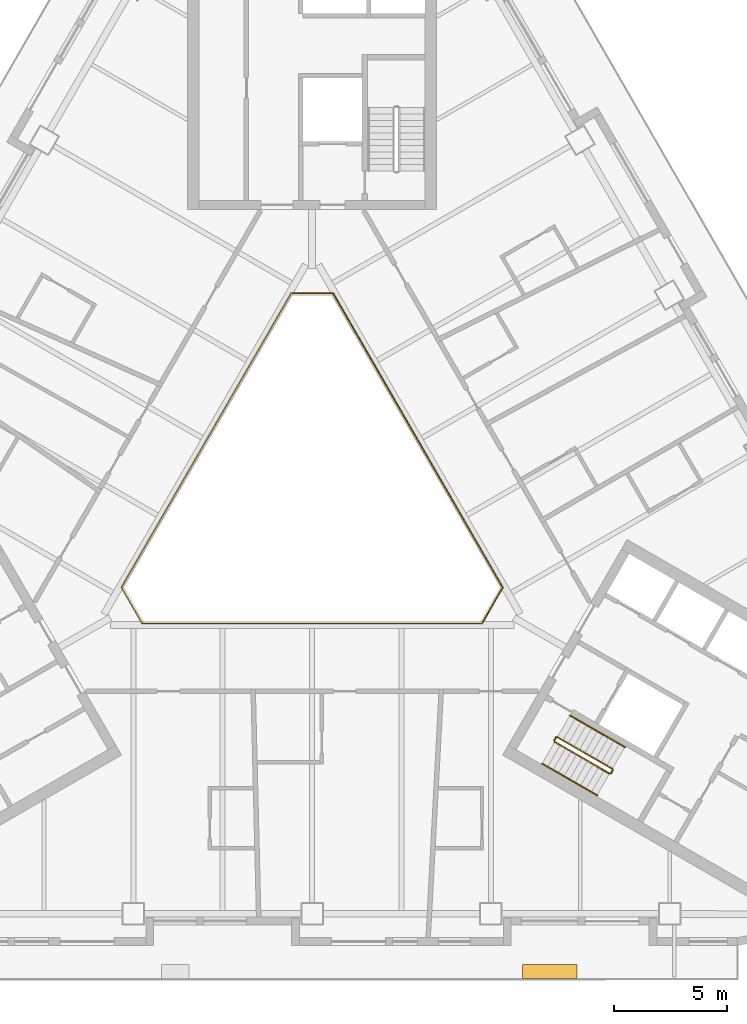
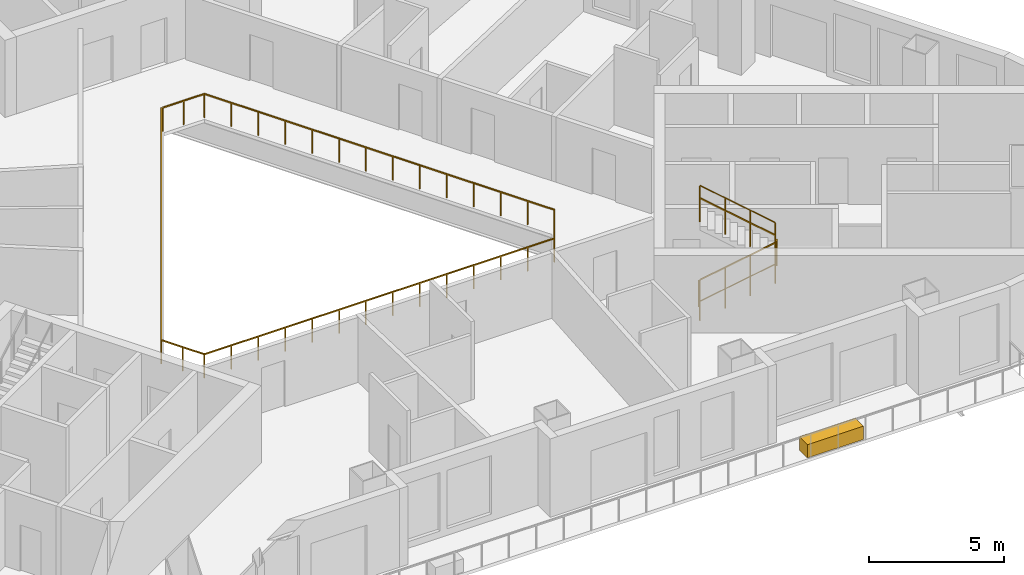
# One storey, part 11 of 13: 8 railings, 1 covering.
"""IFC4 building model written with IfcOpenShell, lengths in metres."""

from ifc_helpers import new_model, si_unit, direction, frame, origin, origin_2d, place, context, subcontext, project, spatial, rectangle, circle, extrude, material, type_object, element, save


model = new_model("IFC4")

# Units and contexts
model_context = context("Model", 3, precision=1e-05, world=origin(), true_north=direction((0.0, 1.0)))
body_context = subcontext(model_context, "Body", "Model", "MODEL_VIEW")
ifc_project = project(units=[si_unit("LENGTHUNIT", "METRE"), si_unit("AREAUNIT", "SQUARE_METRE"), si_unit("VOLUMEUNIT", "CUBIC_METRE"), si_unit("PLANEANGLEUNIT", "RADIAN"), si_unit("MASSUNIT", "GRAM", prefix="KILO")], contexts=[model_context])

# Site, building, storey
site_placement = place(None, origin())
site = spatial("IfcSite", under=ifc_project, at=site_placement, CompositionType="ELEMENT")
building_placement = place(site_placement, origin())
building = spatial("IfcBuilding", under=site, at=building_placement, Name="Apuvela Tower Hotel", CompositionType="ELEMENT")
storey_placement = place(building_placement, frame((0.0, 0.0, 79.800048828125)))
storey = spatial("IfcBuildingStorey", under=building, at=storey_placement, Name="L17", CompositionType="ELEMENT", Elevation=79.800048828125)

# Railings
ifc_material_1 = material(Name="Steel S275 balustrade", Category="steel")
railing_type_1 = type_object("IfcRailingType", Name="COR-GUARD-1100", PredefinedType="GUARDRAIL", material=ifc_material_1)
railing_1_placement = place(storey_placement, frame((10.718994140625, -10.63427734375, 0.168212890625)))
element("IfcRailing", 1, at=railing_1_placement, inside=storey, type_object=railing_type_1, Name="L17 ST3 stair guard 1", PredefinedType="GUARDRAIL", context=body_context, shape_type="SweptSolid", body=[
    extrude(rectangle(XDim=0.048095703125, YDim=0.048095703125, at=origin_2d()), frame((0.0, 0.0, 1.076171875), z_axis=(0.74241905619, -0.428617687091, 0.514879426), x_axis=(0.49998411664, 0.866034573852, 0.0)), (0.0, 0.0, 1.0), 3.26611328125),
    extrude(rectangle(XDim=0.0419921875, YDim=0.0419921875, at=origin_2d()), origin(), (0.0, 0.0, 1.0), 1.052001953125),
    extrude(rectangle(XDim=0.0419921875, YDim=0.0419921875, at=origin_2d()), frame((0.808349609375, -0.466552734375, 0.560546875)), (0.0, 0.0, 1.0), 1.052001953125),
    extrude(rectangle(XDim=0.0419921875, YDim=0.0419921875, at=origin_2d()), frame((1.616455078125, -0.933349609375, 1.12109375)), (0.0, 0.0, 1.0), 1.052001953125),
    extrude(rectangle(XDim=0.0419921875, YDim=0.0419921875, at=origin_2d()), frame((2.4248046875, -1.39990234375, 1.681640625)), (0.0, 0.0, 1.0), 1.052001953125),
])
railing_2_placement = place(storey_placement, frame((13.212158203125, -12.015869140625, 1.849853515625)))
element("IfcRailing", 2, at=railing_2_placement, inside=storey, type_object=railing_type_1, Name="L17 ST3 stair guard 2", PredefinedType="GUARDRAIL", context=body_context, shape_type="SweptSolid", body=[
    extrude(rectangle(XDim=0.048095703125, YDim=0.048095703125, at=origin_2d()), frame((0.0, 0.0, 1.076171875), z_axis=(0.499816412211, 0.866131372301, 0.0), x_axis=(-0.866131372301, 0.499816412211, 0.0)), (0.0, 0.0, 1.0), 0.14990234375),
    extrude(rectangle(XDim=0.0419921875, YDim=0.0419921875, at=origin_2d()), origin(), (0.0, 0.0, 1.0), 1.052001953125),
    extrude(rectangle(XDim=0.0419921875, YDim=0.0419921875, at=origin_2d()), frame((0.074951171875, 0.1298828125, 0.0)), (0.0, 0.0, 1.0), 1.052001953125),
])
railing_3_placement = place(storey_placement, frame((13.268798828125, -11.817626953125, 2.01806640625)))
element("IfcRailing", 3, at=railing_3_placement, inside=storey, type_object=railing_type_1, Name="L17 ST3 stair guard 3", PredefinedType="GUARDRAIL", context=body_context, shape_type="SweptSolid", body=[
    extrude(rectangle(XDim=0.048095703125, YDim=0.048095703125, at=origin_2d()), frame((0.0, 0.0, 1.076171875), z_axis=(-0.742390482028, 0.42860119049, 0.514934356695), x_axis=(-0.49998411664, -0.866034573852, 0.0)), (0.0, 0.0, 1.0), 3.26611328125),
    extrude(rectangle(XDim=0.0419921875, YDim=0.0419921875, at=origin_2d()), origin(), (0.0, 0.0, 1.0), 1.052001953125),
    extrude(rectangle(XDim=0.0419921875, YDim=0.0419921875, at=origin_2d()), frame((-0.808349609375, 0.466552734375, 0.560546875)), (0.0, 0.0, 1.0), 1.052001953125),
    extrude(rectangle(XDim=0.0419921875, YDim=0.0419921875, at=origin_2d()), frame((-1.616455078125, 0.933349609375, 1.121337890625)), (0.0, 0.0, 1.0), 1.052001953125),
    extrude(rectangle(XDim=0.0419921875, YDim=0.0419921875, at=origin_2d()), frame((-2.4248046875, 1.39990234375, 1.681884765625)), (0.0, 0.0, 1.0), 1.052001953125),
])
railing_4_placement = place(storey_placement, frame((10.70068359375, -10.56591796875, 0.0)))
element("IfcRailing", 4, at=railing_4_placement, inside=storey, type_object=railing_type_1, Name="L17 ST3 stair guard 4", PredefinedType="GUARDRAIL", context=body_context, shape_type="SweptSolid", body=[
    extrude(rectangle(XDim=0.048095703125, YDim=0.048095703125, at=origin_2d()), frame((0.0, 0.0, 1.076171875), z_axis=(0.499816412211, 0.866131372301, 0.0), x_axis=(-0.866131372301, 0.499816412211, 0.0)), (0.0, 0.0, 1.0), 0.14990234375),
    extrude(rectangle(XDim=0.0419921875, YDim=0.0419921875, at=origin_2d()), origin(), (0.0, 0.0, 1.0), 1.052001953125),
    extrude(rectangle(XDim=0.0419921875, YDim=0.0419921875, at=origin_2d()), frame((0.074951171875, 0.1298828125, 0.0)), (0.0, 0.0, 1.0), 1.052001953125),
])
ifc_material_2 = material(Name="Stainless steel 316 handrail", Category="steel")
railing_type_2 = type_object("IfcRailingType", Name="COR-HANDRAIL-900", PredefinedType="HANDRAIL", material=ifc_material_2)
railing_5_placement = place(storey_placement, frame((10.1689453125, -11.5869140625, 0.168212890625)))
element("IfcRailing", 5, at=railing_5_placement, inside=storey, type_object=railing_type_2, Name="L17 ST3 stair handrail 1", PredefinedType="HANDRAIL", context=body_context, shape_type="SweptSolid", body=[
    extrude(circle(Radius=0.02392578125, at=origin_2d()), frame((0.0, 0.0, 0.8759765625), z_axis=(0.74241905619, -0.428617687091, 0.514879426), x_axis=(0.49998411664, 0.866034573852, 0.0)), (0.0, 0.0, 1.0), 3.26611328125),
    extrude(rectangle(XDim=0.0419921875, YDim=0.0419921875, at=origin_2d()), origin(), (0.0, 0.0, 1.0), 0.851806640625),
    extrude(rectangle(XDim=0.0419921875, YDim=0.0419921875, at=origin_2d()), frame((0.808349609375, -0.466552734375, 0.560546875)), (0.0, 0.0, 1.0), 0.851806640625),
    extrude(rectangle(XDim=0.0419921875, YDim=0.0419921875, at=origin_2d()), frame((1.616455078125, -0.933349609375, 1.12109375)), (0.0, 0.0, 1.0), 0.851806640625),
    extrude(rectangle(XDim=0.0419921875, YDim=0.0419921875, at=origin_2d()), frame((2.4248046875, -1.39990234375, 1.681640625)), (0.0, 0.0, 1.0), 0.851806640625),
])
railing_6_placement = place(storey_placement, frame((13.81884765625, -10.864990234375, 2.01806640625)))
element("IfcRailing", 6, at=railing_6_placement, inside=storey, type_object=railing_type_2, Name="L17 ST3 stair handrail 2", PredefinedType="HANDRAIL", context=body_context, shape_type="SweptSolid", body=[
    extrude(circle(Radius=0.02392578125, at=origin_2d()), frame((0.0, 0.0, 0.8759765625), z_axis=(-0.742390482028, 0.42860119049, 0.514934356695), x_axis=(-0.49998411664, -0.866034573852, 0.0)), (0.0, 0.0, 1.0), 3.26611328125),
    extrude(rectangle(XDim=0.0419921875, YDim=0.0419921875, at=origin_2d()), origin(), (0.0, 0.0, 1.0), 0.851806640625),
    extrude(rectangle(XDim=0.0419921875, YDim=0.0419921875, at=origin_2d()), frame((-0.808349609375, 0.466552734375, 0.560546875)), (0.0, 0.0, 1.0), 0.851806640625),
    extrude(rectangle(XDim=0.0419921875, YDim=0.0419921875, at=origin_2d()), frame((-1.616455078125, 0.933349609375, 1.121337890625)), (0.0, 0.0, 1.0), 0.851806640625),
    extrude(rectangle(XDim=0.0419921875, YDim=0.0419921875, at=origin_2d()), frame((-2.4248046875, 1.39990234375, 1.681884765625)), (0.0, 0.0, 1.0), 0.851806640625),
])
ifc_material_3 = material(Name="Stainless steel 316 rail with laminated glass infill", Category="steel")
railing_type_3 = type_object("IfcRailingType", Name="ENV-GUARD-1100", PredefinedType="GUARDRAIL", material=ifc_material_3)
railing_7_placement = place(storey_placement, frame((-0.923828125, 9.199951171875, 0.0)))
element("IfcRailing", 7, at=railing_7_placement, inside=storey, type_object=railing_type_3, Name="Atrium void guard A L17", PredefinedType="GUARDRAIL", context=body_context, shape_type="SweptSolid", body=[
    extrude(rectangle(XDim=0.050048828125, YDim=0.050048828125, at=origin_2d()), frame((0.0, 0.0, 1.0751953125), z_axis=(-0.499990886379, -0.866030665472, 0.0), x_axis=(0.866030665472, -0.499990886379, 0.0)), (0.0, 0.0, 1.0), 15.010986328125),
    extrude(rectangle(XDim=0.050048828125, YDim=0.050048828125, at=origin_2d()), frame((-7.50537109375, -13.0, 1.0751953125), z_axis=(0.499962699187, -0.866046938348, 0.0), x_axis=(0.866046938348, 0.499962699187, 0.0)), (0.0, 0.0, 1.0), 1.847412109375),
    extrude(rectangle(XDim=0.050048828125, YDim=0.050048828125, at=origin_2d()), frame((-6.581787109375, -14.599853515625, 1.0751953125), z_axis=(1.0, 0.0, 0.0), x_axis=(0.0, 1.0, 0.0)), (0.0, 0.0, 1.0), 15.01123046875),
    extrude(rectangle(XDim=0.0400390625, YDim=0.0400390625, at=origin_2d()), origin(), (0.0, 0.0, 1.0), 1.050048828125),
    extrude(rectangle(XDim=0.0400390625, YDim=0.0400390625, at=origin_2d()), frame((-0.577392578125, -1.0, 0.0)), (0.0, 0.0, 1.0), 1.050048828125),
    extrude(rectangle(XDim=0.0400390625, YDim=0.0400390625, at=origin_2d()), frame((-1.15478515625, -2.0, 0.0)), (0.0, 0.0, 1.0), 1.050048828125),
    extrude(rectangle(XDim=0.0400390625, YDim=0.0400390625, at=origin_2d()), frame((-1.73193359375, -3.0, 0.0)), (0.0, 0.0, 1.0), 1.050048828125),
    extrude(rectangle(XDim=0.0400390625, YDim=0.0400390625, at=origin_2d()), frame((-2.309326171875, -4.0, 0.0)), (0.0, 0.0, 1.0), 1.050048828125),
    extrude(rectangle(XDim=0.0400390625, YDim=0.0400390625, at=origin_2d()), frame((-2.88671875, -5.0, 0.0)), (0.0, 0.0, 1.0), 1.050048828125),
    extrude(rectangle(XDim=0.0400390625, YDim=0.0400390625, at=origin_2d()), frame((-3.464111328125, -6.0, 0.0)), (0.0, 0.0, 1.0), 1.050048828125),
    extrude(rectangle(XDim=0.0400390625, YDim=0.0400390625, at=origin_2d()), frame((-4.041259765625, -7.0, 0.0)), (0.0, 0.0, 1.0), 1.050048828125),
    extrude(rectangle(XDim=0.0400390625, YDim=0.0400390625, at=origin_2d()), frame((-4.61865234375, -8.0, 0.0)), (0.0, 0.0, 1.0), 1.050048828125),
    extrude(rectangle(XDim=0.0400390625, YDim=0.0400390625, at=origin_2d()), frame((-5.196044921875, -9.0, 0.0)), (0.0, 0.0, 1.0), 1.050048828125),
    extrude(rectangle(XDim=0.0400390625, YDim=0.0400390625, at=origin_2d()), frame((-5.7734375, -10.0, 0.0)), (0.0, 0.0, 1.0), 1.050048828125),
    extrude(rectangle(XDim=0.0400390625, YDim=0.0400390625, at=origin_2d()), frame((-6.3505859375, -11.0, 0.0)), (0.0, 0.0, 1.0), 1.050048828125),
    extrude(rectangle(XDim=0.0400390625, YDim=0.0400390625, at=origin_2d()), frame((-6.927978515625, -12.0, 0.0)), (0.0, 0.0, 1.0), 1.050048828125),
    extrude(rectangle(XDim=0.0400390625, YDim=0.0400390625, at=origin_2d()), frame((-7.50537109375, -13.0, 0.0)), (0.0, 0.0, 1.0), 1.050048828125),
    extrude(rectangle(XDim=0.0400390625, YDim=0.0400390625, at=origin_2d()), frame((-7.04345703125, -13.7998046875, 0.0)), (0.0, 0.0, 1.0), 1.050048828125),
    extrude(rectangle(XDim=0.0400390625, YDim=0.0400390625, at=origin_2d()), frame((-6.581787109375, -14.599853515625, 0.0)), (0.0, 0.0, 1.0), 1.050048828125),
    extrude(rectangle(XDim=0.0400390625, YDim=0.0400390625, at=origin_2d()), frame((-5.427001953125, -14.599853515625, 0.0)), (0.0, 0.0, 1.0), 1.050048828125),
    extrude(rectangle(XDim=0.0400390625, YDim=0.0400390625, at=origin_2d()), frame((-4.2724609375, -14.599853515625, 0.0)), (0.0, 0.0, 1.0), 1.050048828125),
    extrude(rectangle(XDim=0.0400390625, YDim=0.0400390625, at=origin_2d()), frame((-3.11767578125, -14.599853515625, 0.0)), (0.0, 0.0, 1.0), 1.050048828125),
    extrude(rectangle(XDim=0.0400390625, YDim=0.0400390625, at=origin_2d()), frame((-1.962890625, -14.599853515625, 0.0)), (0.0, 0.0, 1.0), 1.050048828125),
    extrude(rectangle(XDim=0.0400390625, YDim=0.0400390625, at=origin_2d()), frame((-0.808349609375, -14.599853515625, 0.0)), (0.0, 0.0, 1.0), 1.050048828125),
    extrude(rectangle(XDim=0.0400390625, YDim=0.0400390625, at=origin_2d()), frame((0.346435546875, -14.599853515625, 0.0)), (0.0, 0.0, 1.0), 1.050048828125),
    extrude(rectangle(XDim=0.0400390625, YDim=0.0400390625, at=origin_2d()), frame((1.501220703125, -14.599853515625, 0.0)), (0.0, 0.0, 1.0), 1.050048828125),
    extrude(rectangle(XDim=0.0400390625, YDim=0.0400390625, at=origin_2d()), frame((2.656005859375, -14.599853515625, 0.0)), (0.0, 0.0, 1.0), 1.050048828125),
    extrude(rectangle(XDim=0.0400390625, YDim=0.0400390625, at=origin_2d()), frame((3.810546875, -14.599853515625, 0.0)), (0.0, 0.0, 1.0), 1.050048828125),
    extrude(rectangle(XDim=0.0400390625, YDim=0.0400390625, at=origin_2d()), frame((4.96533203125, -14.599853515625, 0.0)), (0.0, 0.0, 1.0), 1.050048828125),
    extrude(rectangle(XDim=0.0400390625, YDim=0.0400390625, at=origin_2d()), frame((6.1201171875, -14.599853515625, 0.0)), (0.0, 0.0, 1.0), 1.050048828125),
    extrude(rectangle(XDim=0.0400390625, YDim=0.0400390625, at=origin_2d()), frame((7.274658203125, -14.599853515625, 0.0)), (0.0, 0.0, 1.0), 1.050048828125),
    extrude(rectangle(XDim=0.0400390625, YDim=0.0400390625, at=origin_2d()), frame((8.429443359375, -14.599853515625, 0.0)), (0.0, 0.0, 1.0), 1.050048828125),
])
railing_8_placement = place(storey_placement, frame((7.53564453125, -5.347900390625, 0.0)))
element("IfcRailing", 8, at=railing_8_placement, inside=storey, type_object=railing_type_3, Name="Atrium void guard B L17", PredefinedType="GUARDRAIL", context=body_context, shape_type="SweptSolid", body=[
    extrude(rectangle(XDim=0.050048828125, YDim=0.050048828125, at=origin_2d()), frame((0.0, 0.0, 1.0751953125), z_axis=(0.499958946799, 0.866049104564, 0.0), x_axis=(-0.866049104564, 0.499958946799, 0.0)), (0.0, 0.0, 1.0), 1.787353515625),
    extrude(rectangle(XDim=0.050048828125, YDim=0.050048828125, at=origin_2d()), frame((0.8935546875, 1.5478515625, 1.0751953125), z_axis=(-0.499990886379, 0.866030665472, 0.0), x_axis=(-0.866030665472, -0.499990886379, 0.0)), (0.0, 0.0, 1.0), 15.010986328125),
    extrude(rectangle(XDim=0.050048828125, YDim=0.050048828125, at=origin_2d()), frame((-6.61181640625, 14.5478515625, 1.0751953125), z_axis=(-1.0, 0.0, 0.0), x_axis=(0.0, -1.0, 0.0)), (0.0, 0.0, 1.0), 1.78759765625),
    extrude(rectangle(XDim=0.0400390625, YDim=0.0400390625, at=origin_2d()), origin(), (0.0, 0.0, 1.0), 1.050048828125),
    extrude(rectangle(XDim=0.0400390625, YDim=0.0400390625, at=origin_2d()), frame((0.44677734375, 0.77392578125, 0.0)), (0.0, 0.0, 1.0), 1.050048828125),
    extrude(rectangle(XDim=0.0400390625, YDim=0.0400390625, at=origin_2d()), frame((0.8935546875, 1.5478515625, 0.0)), (0.0, 0.0, 1.0), 1.050048828125),
    extrude(rectangle(XDim=0.0400390625, YDim=0.0400390625, at=origin_2d()), frame((0.316162109375, 2.5478515625, 0.0)), (0.0, 0.0, 1.0), 1.050048828125),
    extrude(rectangle(XDim=0.0400390625, YDim=0.0400390625, at=origin_2d()), frame((-0.26123046875, 3.5478515625, 0.0)), (0.0, 0.0, 1.0), 1.050048828125),
    extrude(rectangle(XDim=0.0400390625, YDim=0.0400390625, at=origin_2d()), frame((-0.83837890625, 4.5478515625, 0.0)), (0.0, 0.0, 1.0), 1.050048828125),
    extrude(rectangle(XDim=0.0400390625, YDim=0.0400390625, at=origin_2d()), frame((-1.415771484375, 5.5478515625, 0.0)), (0.0, 0.0, 1.0), 1.050048828125),
    extrude(rectangle(XDim=0.0400390625, YDim=0.0400390625, at=origin_2d()), frame((-1.9931640625, 6.5478515625, 0.0)), (0.0, 0.0, 1.0), 1.050048828125),
    extrude(rectangle(XDim=0.0400390625, YDim=0.0400390625, at=origin_2d()), frame((-2.570556640625, 7.5478515625, 0.0)), (0.0, 0.0, 1.0), 1.050048828125),
    extrude(rectangle(XDim=0.0400390625, YDim=0.0400390625, at=origin_2d()), frame((-3.147705078125, 8.5478515625, 0.0)), (0.0, 0.0, 1.0), 1.050048828125),
    extrude(rectangle(XDim=0.0400390625, YDim=0.0400390625, at=origin_2d()), frame((-3.72509765625, 9.5478515625, 0.0)), (0.0, 0.0, 1.0), 1.050048828125),
    extrude(rectangle(XDim=0.0400390625, YDim=0.0400390625, at=origin_2d()), frame((-4.302490234375, 10.5478515625, 0.0)), (0.0, 0.0, 1.0), 1.050048828125),
    extrude(rectangle(XDim=0.0400390625, YDim=0.0400390625, at=origin_2d()), frame((-4.8798828125, 11.5478515625, 0.0)), (0.0, 0.0, 1.0), 1.050048828125),
    extrude(rectangle(XDim=0.0400390625, YDim=0.0400390625, at=origin_2d()), frame((-5.45703125, 12.5478515625, 0.0)), (0.0, 0.0, 1.0), 1.050048828125),
    extrude(rectangle(XDim=0.0400390625, YDim=0.0400390625, at=origin_2d()), frame((-6.034423828125, 13.5478515625, 0.0)), (0.0, 0.0, 1.0), 1.050048828125),
    extrude(rectangle(XDim=0.0400390625, YDim=0.0400390625, at=origin_2d()), frame((-6.61181640625, 14.5478515625, 0.0)), (0.0, 0.0, 1.0), 1.050048828125),
    extrude(rectangle(XDim=0.0400390625, YDim=0.0400390625, at=origin_2d()), frame((-7.505615234375, 14.5478515625, 0.0)), (0.0, 0.0, 1.0), 1.050048828125),
    extrude(rectangle(XDim=0.0400390625, YDim=0.0400390625, at=origin_2d()), frame((-8.3994140625, 14.5478515625, 0.0)), (0.0, 0.0, 1.0), 1.050048828125),
])

# Covering
ifc_material_4 = material(Name="Planting substrate and soil, planted")
covering_type = type_object("IfcCoveringType", Name="ENV-PLANTER-2400x600", PredefinedType="USERDEFINED", material=ifc_material_4)
covering_placement = place(storey_placement, frame((10.5, -20.780029296875, 0.0), z_axis=(0.0, 0.0, 1.0), x_axis=(1.0, 0.0, 0.0)))
element("IfcCovering", 9, at=covering_placement, inside=storey, type_object=covering_type, Name="Planter S2", ObjectType="PLANTER", PredefinedType="USERDEFINED", context=body_context, shape_type="SweptSolid", body=[
    extrude(rectangle(XDim=2.39990234375, YDim=0.60009765625, at=origin_2d()), origin(), (0.0, 0.0, 1.0), 0.60009765625),
])

save(model, "model.ifc")
